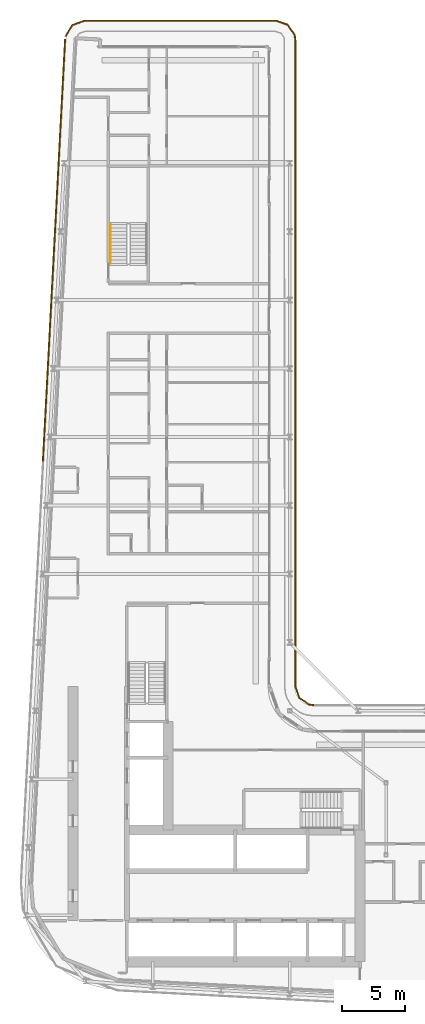
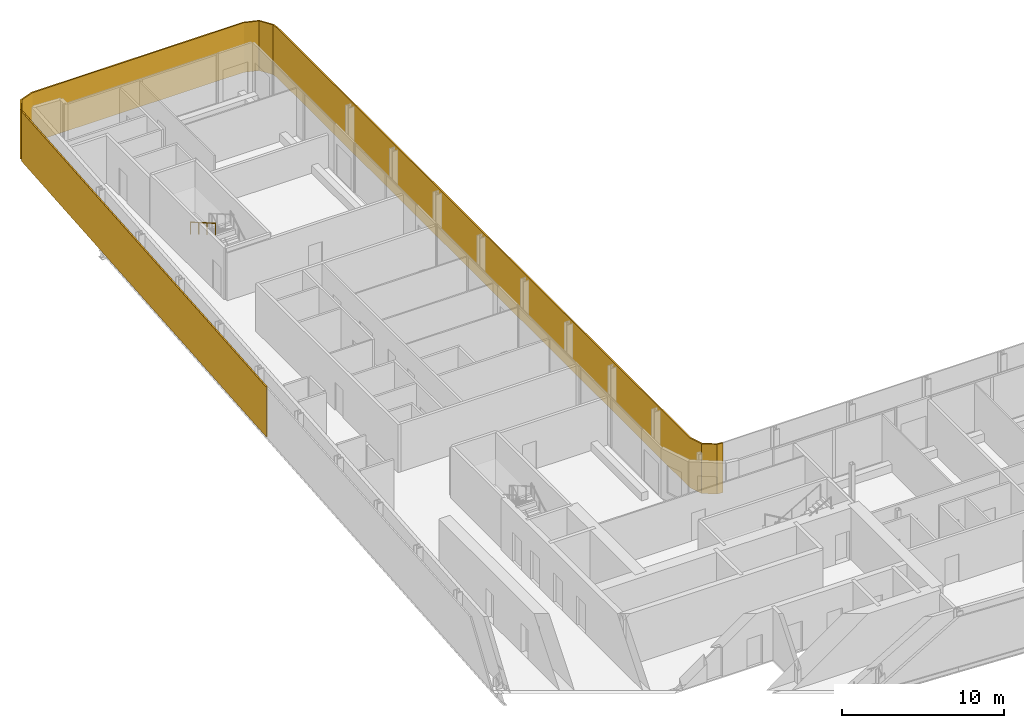
# One storey, part 27 of 29: 2 shading devices, 1 railing.
"""IFC4 building model written with IfcOpenShell, lengths in metres."""

from ifc_helpers import new_model, si_unit, direction, frame, origin, origin_2d, place, context, subcontext, project, spatial, polyline, rectangle, circle, outline, extrude, material, layer, layer_set, type_object, element, save


model = new_model("IFC4")

# Units and contexts
model_context = context("Model", 3, precision=1e-05, world=origin(), true_north=direction((0.0, 1.0)))
body_context = subcontext(model_context, "Body", "Model", "MODEL_VIEW")
ifc_project = project(units=[si_unit("LENGTHUNIT", "METRE"), si_unit("AREAUNIT", "SQUARE_METRE"), si_unit("VOLUMEUNIT", "CUBIC_METRE"), si_unit("PLANEANGLEUNIT", "RADIAN"), si_unit("MASSUNIT", "GRAM", prefix="KILO")], contexts=[model_context])

# Site, building, storey
site_placement = place(None, origin())
site = spatial("IfcSite", under=ifc_project, at=site_placement, CompositionType="ELEMENT")
building_placement = place(site_placement, origin())
building = spatial("IfcBuilding", under=site, at=building_placement, Name="Kheshtan School and Residences Tower", CompositionType="ELEMENT")
storey_placement = place(building_placement, frame((0.0, 0.0, 172.10009765625)))
storey = spatial("IfcBuildingStorey", under=building, at=storey_placement, Name="L40", CompositionType="ELEMENT", Elevation=172.10009765625)

# Shading devices
ifc_material_1 = material(Name="Terracotta baguette, extruded ceramic", Category="masonry")
ifc_layer_1 = layer(ifc_material_1, 0.10009765625)
ifc_layer_set_1 = layer_set([ifc_layer_1], Name="Ledge screen, terracotta baguettes")
shading_device_type_1 = type_object("IfcShadingDeviceType", Name="Ledge screen, terracotta baguettes", PredefinedType="USERDEFINED", material=ifc_layer_set_1)
shading_device_1_placement = place(storey_placement, frame((28.9990234375, 81.93408203125, 0.0), z_axis=(0.0, 0.0, 1.0), x_axis=(0.052562536748, 0.998617634398, 0.0)))
element("IfcShadingDevice", 1, at=shading_device_1_placement, inside=storey, type_object=shading_device_type_1, Name="Screen L40 5", ObjectType="BAGUETTE", PredefinedType="USERDEFINED", context=body_context, shape_type="SweptSolid", body=[
    extrude(rectangle(XDim=33.341064453125, YDim=0.10009765625, at=origin_2d()), origin(), (0.0, 0.0, 1.0), 3.75),
])
ifc_material_2 = material(Name="Terracotta lattice, extruded ceramic", Category="masonry")
ifc_layer_2 = layer(ifc_material_2, 0.10009765625)
ifc_layer_set_2 = layer_set([ifc_layer_2], Name="Loggia screen, terracotta lattice")
shading_device_type_2 = type_object("IfcShadingDeviceType", Name="Loggia screen, terracotta lattice", PredefinedType="USERDEFINED", material=ifc_layer_set_2)
shading_device_2_placement = place(storey_placement, origin())
element("IfcShadingDevice", 2, at=shading_device_2_placement, inside=storey, type_object=shading_device_type_2, Name="Screen L40 1", ObjectType="SCREEN", PredefinedType="USERDEFINED", context=body_context, shape_type="SweptSolid", body=[
    extrude(outline(polyline([(29.949951171875, 98.783935546875), (30.468017578125, 99.656982421875), (31.423095703125, 100.0), (46.5, 100.0), (47.4130859375, 99.68994140625), (47.948974609375, 98.887939453125), (48.0, 98.5), (48.0, 47.5), (48.31005859375, 46.5869140625), (49.112060546875, 46.051025390625), (49.5, 46.0), (49.512939453125, 46.09912109375), (49.14794921875, 46.14697265625), (48.39404296875, 46.65087890625), (48.10009765625, 47.51708984375), (48.10009765625, 98.507080078125), (48.044921875, 98.924072265625), (47.47705078125, 99.77392578125), (46.51708984375, 100.10009765625), (31.406005859375, 100.10009765625), (30.39990234375, 99.739013671875), (29.864013671875, 98.8349609375), (29.949951171875, 98.783935546875)])), origin(), (0.0, 0.0, 1.0), 3.75),
])

# Railing
ifc_material_3 = material(Name="Stainless steel handrail", Category="steel")
railing_type = type_object("IfcRailingType", Name="Stair handrail 900", PredefinedType="HANDRAIL", material=ifc_material_3)
railing_placement = place(storey_placement, frame((33.449951171875, 83.97998046875, 2.1123046875)))
element("IfcRailing", 3, at=railing_placement, inside=storey, type_object=railing_type, Name="L40 ST3 stair handrail 2", PredefinedType="HANDRAIL", context=body_context, shape_type="SweptSolid", body=[
    extrude(circle(Radius=0.02392578125, at=origin_2d()), frame((0.0, 0.0, 0.8759765625), z_axis=(0.0, -0.864890721111, 0.501960198159), x_axis=(1.0, 0.0, 0.0)), (0.0, 0.0, 1.0), 3.561279296875),
    extrude(circle(Radius=0.02099609375, at=origin_2d()), origin(), (0.0, 0.0, 1.0), 0.851806640625),
    extrude(circle(Radius=0.02099609375, at=origin_2d()), frame((0.0, -1.026611328125, 0.595947265625)), (0.0, 0.0, 1.0), 0.851806640625),
    extrude(circle(Radius=0.02099609375, at=origin_2d()), frame((0.0, -2.053466796875, 1.191650390625)), (0.0, 0.0, 1.0), 0.851806640625),
    extrude(circle(Radius=0.02099609375, at=origin_2d()), frame((0.0, -3.080078125, 1.78759765625)), (0.0, 0.0, 1.0), 0.851806640625),
])

save(model, "model.ifc")
